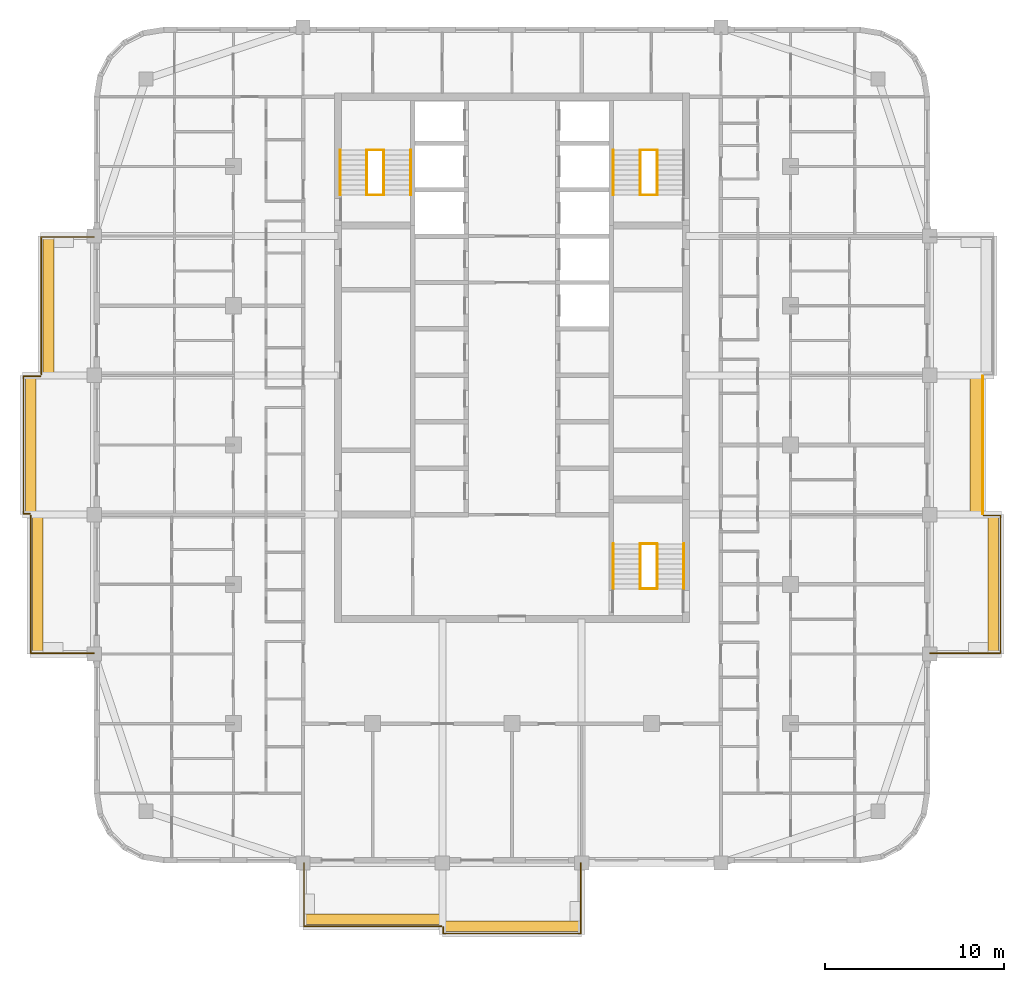
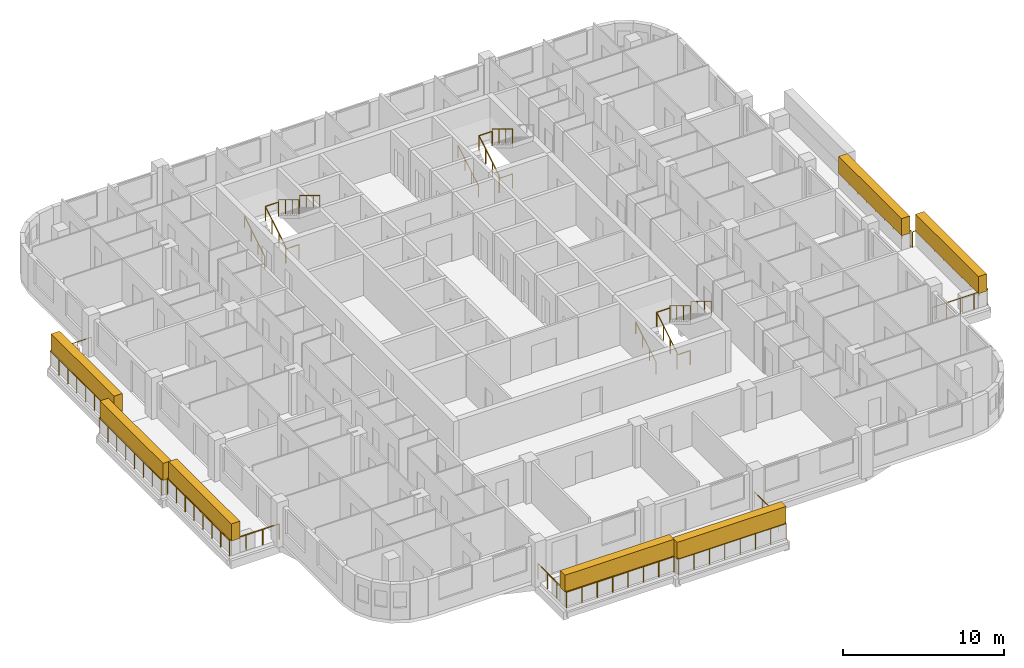
# One storey, part 15 of 16: 24 railings, 7 coverings, 3 elements without a shape of their own.
"""IFC4 building model written with IfcOpenShell, lengths in metres."""

from ifc_helpers import new_model, si_unit, direction, frame, origin, origin_2d, place, context, subcontext, project, spatial, rectangle, circle, extrude, material, layer, layer_set, type_object, element, aggregate, save


model = new_model("IFC4")

# Units and contexts
model_context = context("Model", 3, precision=1e-05, world=origin(), true_north=direction((0.0, 1.0)))
body_context = subcontext(model_context, "Body", "Model", "MODEL_VIEW")
ifc_project = project(units=[si_unit("LENGTHUNIT", "METRE"), si_unit("AREAUNIT", "SQUARE_METRE"), si_unit("VOLUMEUNIT", "CUBIC_METRE"), si_unit("PLANEANGLEUNIT", "RADIAN"), si_unit("MASSUNIT", "GRAM", prefix="KILO")], contexts=[model_context])

# Site, building, storey
site_placement = place(None, origin())
site = spatial("IfcSite", under=ifc_project, at=site_placement, CompositionType="ELEMENT")
building_placement = place(site_placement, origin())
building = spatial("IfcBuilding", under=site, at=building_placement, Name="Ludao Terraces", CompositionType="ELEMENT")
storey_placement = place(building_placement, frame((0.0, 0.0, 217.699951171875)))
storey = spatial("IfcBuildingStorey", under=building, at=storey_placement, Name="L59", CompositionType="ELEMENT", Elevation=217.699951171875)

# Railings
ifc_material_1 = material(Name="Stainless steel 304", Category="steel")
railing_type_1 = type_object("IfcRailingType", Name="ENV Balcony glass guard 1200", PredefinedType="GUARDRAIL", material=ifc_material_1)
railing_1_placement = place(storey_placement, frame((73.35009765625, 41.60009765625, 0.0)))
element("IfcRailing", 1, at=railing_1_placement, inside=storey, type_object=railing_type_1, Name="Balcony guard L59 S1", PredefinedType="GUARDRAIL", context=body_context, shape_type="SweptSolid", body=[
    extrude(circle(Radius=0.02392578125, at=origin_2d()), frame((0.0, 0.0, 1.17578125), z_axis=(0.0, -1.0, 0.0), x_axis=(1.0, 0.0, 0.0)), (0.0, 0.0, 1.0), 3.550048828125),
    extrude(circle(Radius=0.02392578125, at=origin_2d()), frame((0.0, -3.550048828125, 1.17578125), z_axis=(1.0, 0.0, 0.0), x_axis=(0.0, 1.0, 0.0)), (0.0, 0.0, 1.0), 7.699951171875),
    extrude(circle(Radius=0.02099609375, at=origin_2d()), origin(), (0.0, 0.0, 1.0), 1.15185546875),
    extrude(circle(Radius=0.02099609375, at=origin_2d()), frame((0.0, -1.183349609375, 0.0)), (0.0, 0.0, 1.0), 1.15185546875),
    extrude(circle(Radius=0.02099609375, at=origin_2d()), frame((0.0, -2.36669921875, 0.0)), (0.0, 0.0, 1.0), 1.15185546875),
    extrude(circle(Radius=0.02099609375, at=origin_2d()), frame((0.0, -3.550048828125, 0.0)), (0.0, 0.0, 1.0), 1.15185546875),
    extrude(circle(Radius=0.02099609375, at=origin_2d()), frame((1.10009765625, -3.550048828125, 0.0)), (0.0, 0.0, 1.0), 1.15185546875),
    extrude(circle(Radius=0.02099609375, at=origin_2d()), frame((2.199951171875, -3.550048828125, 0.0)), (0.0, 0.0, 1.0), 1.15185546875),
    extrude(circle(Radius=0.02099609375, at=origin_2d()), frame((3.300048828125, -3.550048828125, 0.0)), (0.0, 0.0, 1.0), 1.15185546875),
    extrude(circle(Radius=0.02099609375, at=origin_2d()), frame((4.39990234375, -3.550048828125, 0.0)), (0.0, 0.0, 1.0), 1.15185546875),
    extrude(circle(Radius=0.02099609375, at=origin_2d()), frame((5.5, -3.550048828125, 0.0)), (0.0, 0.0, 1.0), 1.15185546875),
    extrude(circle(Radius=0.02099609375, at=origin_2d()), frame((6.599853515625, -3.550048828125, 0.0)), (0.0, 0.0, 1.0), 1.15185546875),
    extrude(circle(Radius=0.02099609375, at=origin_2d()), frame((7.699951171875, -3.550048828125, 0.0)), (0.0, 0.0, 1.0), 1.15185546875),
])
railing_2_placement = place(storey_placement, frame((81.14990234375, 38.0, 0.0)))
element("IfcRailing", 2, at=railing_2_placement, inside=storey, type_object=railing_type_1, Name="Balcony guard L59 S2", PredefinedType="GUARDRAIL", context=body_context, shape_type="SweptSolid", body=[
    extrude(circle(Radius=0.02392578125, at=origin_2d()), frame((0.0, 0.0, 1.17578125), z_axis=(0.0, -1.0, 0.0), x_axis=(1.0, 0.0, 0.0)), (0.0, 0.0, 1.0), 0.35009765625),
    extrude(circle(Radius=0.02392578125, at=origin_2d()), frame((0.0, -0.35009765625, 1.17578125), z_axis=(1.0, 0.0, 0.0), x_axis=(0.0, 1.0, 0.0)), (0.0, 0.0, 1.0), 7.7001953125),
    extrude(circle(Radius=0.02392578125, at=origin_2d()), frame((7.7001953125, -0.35009765625, 1.17578125), z_axis=(0.0, 1.0, 0.0), x_axis=(-1.0, 0.0, 0.0)), (0.0, 0.0, 1.0), 3.9501953125),
    extrude(circle(Radius=0.02099609375, at=origin_2d()), origin(), (0.0, 0.0, 1.0), 1.15185546875),
    extrude(circle(Radius=0.02099609375, at=origin_2d()), frame((0.0, -0.35009765625, 0.0)), (0.0, 0.0, 1.0), 1.15185546875),
    extrude(circle(Radius=0.02099609375, at=origin_2d()), frame((1.10009765625, -0.35009765625, 0.0)), (0.0, 0.0, 1.0), 1.15185546875),
    extrude(circle(Radius=0.02099609375, at=origin_2d()), frame((2.199951171875, -0.35009765625, 0.0)), (0.0, 0.0, 1.0), 1.15185546875),
    extrude(circle(Radius=0.02099609375, at=origin_2d()), frame((3.300048828125, -0.35009765625, 0.0)), (0.0, 0.0, 1.0), 1.15185546875),
    extrude(circle(Radius=0.02099609375, at=origin_2d()), frame((4.400146484375, -0.35009765625, 0.0)), (0.0, 0.0, 1.0), 1.15185546875),
    extrude(circle(Radius=0.02099609375, at=origin_2d()), frame((5.500244140625, -0.35009765625, 0.0)), (0.0, 0.0, 1.0), 1.15185546875),
    extrude(circle(Radius=0.02099609375, at=origin_2d()), frame((6.60009765625, -0.35009765625, 0.0)), (0.0, 0.0, 1.0), 1.15185546875),
    extrude(circle(Radius=0.02099609375, at=origin_2d()), frame((7.7001953125, -0.35009765625, 0.0)), (0.0, 0.0, 1.0), 1.15185546875),
    extrude(circle(Radius=0.02099609375, at=origin_2d()), frame((7.7001953125, 0.637451171875, 0.0)), (0.0, 0.0, 1.0), 1.15185546875),
    extrude(circle(Radius=0.02099609375, at=origin_2d()), frame((7.7001953125, 1.625, 0.0)), (0.0, 0.0, 1.0), 1.15185546875),
    extrude(circle(Radius=0.02099609375, at=origin_2d()), frame((7.7001953125, 2.612548828125, 0.0)), (0.0, 0.0, 1.0), 1.15185546875),
    extrude(circle(Radius=0.02099609375, at=origin_2d()), frame((7.7001953125, 3.60009765625, 0.0)), (0.0, 0.0, 1.0), 1.15185546875),
])
railing_3_placement = place(storey_placement, frame((108.39990234375, 53.35009765625, 0.0)))
element("IfcRailing", 3, at=railing_3_placement, inside=storey, type_object=railing_type_1, Name="Balcony guard L59 E1", PredefinedType="GUARDRAIL", context=body_context, shape_type="SweptSolid", body=[
    extrude(circle(Radius=0.02392578125, at=origin_2d()), frame((0.0, 0.0, 1.17578125), z_axis=(1.0, 0.0, 0.0), x_axis=(0.0, 1.0, 0.0)), (0.0, 0.0, 1.0), 3.9501953125),
    extrude(circle(Radius=0.02392578125, at=origin_2d()), frame((3.9501953125, 0.0, 1.17578125), z_axis=(0.0, 1.0, 0.0), x_axis=(-1.0, 0.0, 0.0)), (0.0, 0.0, 1.0), 7.699951171875),
    extrude(circle(Radius=0.02392578125, at=origin_2d()), frame((3.9501953125, 7.699951171875, 1.17578125), z_axis=(-1.0, 0.0, 0.0), x_axis=(0.0, -1.0, 0.0)), (0.0, 0.0, 1.0), 0.9501953125),
    extrude(circle(Radius=0.02099609375, at=origin_2d()), origin(), (0.0, 0.0, 1.0), 1.15185546875),
    extrude(circle(Radius=0.02099609375, at=origin_2d()), frame((0.987548828125, 0.0, 0.0)), (0.0, 0.0, 1.0), 1.15185546875),
    extrude(circle(Radius=0.02099609375, at=origin_2d()), frame((1.97509765625, 0.0, 0.0)), (0.0, 0.0, 1.0), 1.15185546875),
    extrude(circle(Radius=0.02099609375, at=origin_2d()), frame((2.962646484375, 0.0, 0.0)), (0.0, 0.0, 1.0), 1.15185546875),
    extrude(circle(Radius=0.02099609375, at=origin_2d()), frame((3.9501953125, 0.0, 0.0)), (0.0, 0.0, 1.0), 1.15185546875),
    extrude(circle(Radius=0.02099609375, at=origin_2d()), frame((3.9501953125, 1.10009765625, 0.0)), (0.0, 0.0, 1.0), 1.15185546875),
    extrude(circle(Radius=0.02099609375, at=origin_2d()), frame((3.9501953125, 2.199951171875, 0.0)), (0.0, 0.0, 1.0), 1.15185546875),
    extrude(circle(Radius=0.02099609375, at=origin_2d()), frame((3.9501953125, 3.300048828125, 0.0)), (0.0, 0.0, 1.0), 1.15185546875),
    extrude(circle(Radius=0.02099609375, at=origin_2d()), frame((3.9501953125, 4.39990234375, 0.0)), (0.0, 0.0, 1.0), 1.15185546875),
    extrude(circle(Radius=0.02099609375, at=origin_2d()), frame((3.9501953125, 5.5, 0.0)), (0.0, 0.0, 1.0), 1.15185546875),
    extrude(circle(Radius=0.02099609375, at=origin_2d()), frame((3.9501953125, 6.599853515625, 0.0)), (0.0, 0.0, 1.0), 1.15185546875),
    extrude(circle(Radius=0.02099609375, at=origin_2d()), frame((3.9501953125, 7.699951171875, 0.0)), (0.0, 0.0, 1.0), 1.15185546875),
    extrude(circle(Radius=0.02099609375, at=origin_2d()), frame((3.0, 7.699951171875, 0.0)), (0.0, 0.0, 1.0), 1.15185546875),
])
railing_4_placement = place(storey_placement, frame((111.35009765625, 61.14990234375, 0.0)))
element("IfcRailing", 4, at=railing_4_placement, inside=storey, type_object=railing_type_1, Name="Balcony guard L59 E2", PredefinedType="GUARDRAIL", context=body_context, shape_type="SweptSolid", body=[
    extrude(circle(Radius=0.02392578125, at=origin_2d()), frame((0.0, 0.0, 1.17578125), z_axis=(0.0, 1.0, 0.0), x_axis=(-1.0, 0.0, 0.0)), (0.0, 0.0, 1.0), 7.7001953125),
    extrude(circle(Radius=0.02099609375, at=origin_2d()), origin(), (0.0, 0.0, 1.0), 1.15185546875),
    extrude(circle(Radius=0.02099609375, at=origin_2d()), frame((0.0, 1.10009765625, 0.0)), (0.0, 0.0, 1.0), 1.15185546875),
    extrude(circle(Radius=0.02099609375, at=origin_2d()), frame((0.0, 2.199951171875, 0.0)), (0.0, 0.0, 1.0), 1.15185546875),
    extrude(circle(Radius=0.02099609375, at=origin_2d()), frame((0.0, 3.300048828125, 0.0)), (0.0, 0.0, 1.0), 1.15185546875),
    extrude(circle(Radius=0.02099609375, at=origin_2d()), frame((0.0, 4.400146484375, 0.0)), (0.0, 0.0, 1.0), 1.15185546875),
    extrude(circle(Radius=0.02099609375, at=origin_2d()), frame((0.0, 5.500244140625, 0.0)), (0.0, 0.0, 1.0), 1.15185546875),
    extrude(circle(Radius=0.02099609375, at=origin_2d()), frame((0.0, 6.60009765625, 0.0)), (0.0, 0.0, 1.0), 1.15185546875),
    extrude(circle(Radius=0.02099609375, at=origin_2d()), frame((0.0, 7.7001953125, 0.0)), (0.0, 0.0, 1.0), 1.15185546875),
])
railing_5_placement = place(storey_placement, frame((61.60009765625, 53.35009765625, 0.0)))
element("IfcRailing", 5, at=railing_5_placement, inside=storey, type_object=railing_type_1, Name="Balcony guard L59 W1", PredefinedType="GUARDRAIL", context=body_context, shape_type="SweptSolid", body=[
    extrude(circle(Radius=0.02392578125, at=origin_2d()), frame((0.0, 0.0, 1.17578125), z_axis=(-1.0, 0.0, 0.0), x_axis=(0.0, -1.0, 0.0)), (0.0, 0.0, 1.0), 3.550048828125),
    extrude(circle(Radius=0.02392578125, at=origin_2d()), frame((-3.550048828125, 0.0, 1.17578125), z_axis=(0.0, 1.0, 0.0), x_axis=(-1.0, 0.0, 0.0)), (0.0, 0.0, 1.0), 7.699951171875),
    extrude(circle(Radius=0.02099609375, at=origin_2d()), origin(), (0.0, 0.0, 1.0), 1.15185546875),
    extrude(circle(Radius=0.02099609375, at=origin_2d()), frame((-1.183349609375, 0.0, 0.0)), (0.0, 0.0, 1.0), 1.15185546875),
    extrude(circle(Radius=0.02099609375, at=origin_2d()), frame((-2.36669921875, 0.0, 0.0)), (0.0, 0.0, 1.0), 1.15185546875),
    extrude(circle(Radius=0.02099609375, at=origin_2d()), frame((-3.550048828125, 0.0, 0.0)), (0.0, 0.0, 1.0), 1.15185546875),
    extrude(circle(Radius=0.02099609375, at=origin_2d()), frame((-3.550048828125, 1.10009765625, 0.0)), (0.0, 0.0, 1.0), 1.15185546875),
    extrude(circle(Radius=0.02099609375, at=origin_2d()), frame((-3.550048828125, 2.199951171875, 0.0)), (0.0, 0.0, 1.0), 1.15185546875),
    extrude(circle(Radius=0.02099609375, at=origin_2d()), frame((-3.550048828125, 3.300048828125, 0.0)), (0.0, 0.0, 1.0), 1.15185546875),
    extrude(circle(Radius=0.02099609375, at=origin_2d()), frame((-3.550048828125, 4.39990234375, 0.0)), (0.0, 0.0, 1.0), 1.15185546875),
    extrude(circle(Radius=0.02099609375, at=origin_2d()), frame((-3.550048828125, 5.5, 0.0)), (0.0, 0.0, 1.0), 1.15185546875),
    extrude(circle(Radius=0.02099609375, at=origin_2d()), frame((-3.550048828125, 6.599853515625, 0.0)), (0.0, 0.0, 1.0), 1.15185546875),
    extrude(circle(Radius=0.02099609375, at=origin_2d()), frame((-3.550048828125, 7.699951171875, 0.0)), (0.0, 0.0, 1.0), 1.15185546875),
])
railing_6_placement = place(storey_placement, frame((58.0, 61.14990234375, 0.0)))
element("IfcRailing", 6, at=railing_6_placement, inside=storey, type_object=railing_type_1, Name="Balcony guard L59 W2", PredefinedType="GUARDRAIL", context=body_context, shape_type="SweptSolid", body=[
    extrude(circle(Radius=0.02392578125, at=origin_2d()), frame((0.0, 0.0, 1.17578125), z_axis=(-1.0, 0.0, 0.0), x_axis=(0.0, -1.0, 0.0)), (0.0, 0.0, 1.0), 0.35009765625),
    extrude(circle(Radius=0.02392578125, at=origin_2d()), frame((-0.35009765625, 0.0, 1.17578125), z_axis=(0.0, 1.0, 0.0), x_axis=(-1.0, 0.0, 0.0)), (0.0, 0.0, 1.0), 7.7001953125),
    extrude(circle(Radius=0.02392578125, at=origin_2d()), frame((-0.35009765625, 7.7001953125, 1.17578125), z_axis=(1.0, 0.0, 0.0), x_axis=(0.0, 1.0, 0.0)), (0.0, 0.0, 1.0), 0.9501953125),
    extrude(circle(Radius=0.02099609375, at=origin_2d()), origin(), (0.0, 0.0, 1.0), 1.15185546875),
    extrude(circle(Radius=0.02099609375, at=origin_2d()), frame((-0.35009765625, 0.0, 0.0)), (0.0, 0.0, 1.0), 1.15185546875),
    extrude(circle(Radius=0.02099609375, at=origin_2d()), frame((-0.35009765625, 1.10009765625, 0.0)), (0.0, 0.0, 1.0), 1.15185546875),
    extrude(circle(Radius=0.02099609375, at=origin_2d()), frame((-0.35009765625, 2.199951171875, 0.0)), (0.0, 0.0, 1.0), 1.15185546875),
    extrude(circle(Radius=0.02099609375, at=origin_2d()), frame((-0.35009765625, 3.300048828125, 0.0)), (0.0, 0.0, 1.0), 1.15185546875),
    extrude(circle(Radius=0.02099609375, at=origin_2d()), frame((-0.35009765625, 4.400146484375, 0.0)), (0.0, 0.0, 1.0), 1.15185546875),
    extrude(circle(Radius=0.02099609375, at=origin_2d()), frame((-0.35009765625, 5.500244140625, 0.0)), (0.0, 0.0, 1.0), 1.15185546875),
    extrude(circle(Radius=0.02099609375, at=origin_2d()), frame((-0.35009765625, 6.60009765625, 0.0)), (0.0, 0.0, 1.0), 1.15185546875),
    extrude(circle(Radius=0.02099609375, at=origin_2d()), frame((-0.35009765625, 7.7001953125, 0.0)), (0.0, 0.0, 1.0), 1.15185546875),
    extrude(circle(Radius=0.02099609375, at=origin_2d()), frame((0.60009765625, 7.7001953125, 0.0)), (0.0, 0.0, 1.0), 1.15185546875),
])
railing_7_placement = place(storey_placement, frame((58.64990234375, 68.949951171875, 0.0)))
element("IfcRailing", 7, at=railing_7_placement, inside=storey, type_object=railing_type_1, Name="Balcony guard L59 W3", PredefinedType="GUARDRAIL", context=body_context, shape_type="SweptSolid", body=[
    extrude(circle(Radius=0.02392578125, at=origin_2d()), frame((0.0, 0.0, 1.17578125), z_axis=(0.0, 1.0, 0.0), x_axis=(-1.0, 0.0, 0.0)), (0.0, 0.0, 1.0), 7.699951171875),
    extrude(circle(Radius=0.02392578125, at=origin_2d()), frame((0.0, 7.699951171875, 1.17578125), z_axis=(1.0, 0.0, 0.0), x_axis=(0.0, 1.0, 0.0)), (0.0, 0.0, 1.0), 2.9501953125),
    extrude(circle(Radius=0.02099609375, at=origin_2d()), origin(), (0.0, 0.0, 1.0), 1.15185546875),
    extrude(circle(Radius=0.02099609375, at=origin_2d()), frame((0.0, 1.10009765625, 0.0)), (0.0, 0.0, 1.0), 1.15185546875),
    extrude(circle(Radius=0.02099609375, at=origin_2d()), frame((0.0, 2.199951171875, 0.0)), (0.0, 0.0, 1.0), 1.15185546875),
    extrude(circle(Radius=0.02099609375, at=origin_2d()), frame((0.0, 3.300048828125, 0.0)), (0.0, 0.0, 1.0), 1.15185546875),
    extrude(circle(Radius=0.02099609375, at=origin_2d()), frame((0.0, 4.39990234375, 0.0)), (0.0, 0.0, 1.0), 1.15185546875),
    extrude(circle(Radius=0.02099609375, at=origin_2d()), frame((0.0, 5.5, 0.0)), (0.0, 0.0, 1.0), 1.15185546875),
    extrude(circle(Radius=0.02099609375, at=origin_2d()), frame((0.0, 6.599853515625, 0.0)), (0.0, 0.0, 1.0), 1.15185546875),
    extrude(circle(Radius=0.02099609375, at=origin_2d()), frame((0.0, 7.699951171875, 0.0)), (0.0, 0.0, 1.0), 1.15185546875),
    extrude(circle(Radius=0.02099609375, at=origin_2d()), frame((0.9833984375, 7.699951171875, 0.0)), (0.0, 0.0, 1.0), 1.15185546875),
    extrude(circle(Radius=0.02099609375, at=origin_2d()), frame((1.966796875, 7.699951171875, 0.0)), (0.0, 0.0, 1.0), 1.15185546875),
    extrude(circle(Radius=0.02099609375, at=origin_2d()), frame((2.9501953125, 7.699951171875, 0.0)), (0.0, 0.0, 1.0), 1.15185546875),
])

# Coverings
ifc_material_2 = material(Name="Planting")
ifc_layer = layer(ifc_material_2, 0.60009765625)
ifc_layer_set = layer_set([ifc_layer], Name="ENV Planting hedge 600x1300")
covering_type = type_object("IfcCoveringType", Name="ENV Planting hedge 600x1300", PredefinedType="USERDEFINED", material=ifc_layer_set)
for number, where, z_axis, x_axis, name in (
    (8, (77.199951171875, 38.449951171875, 1.10009765625), (0.0, 0.0, 1.0), (1.0, 0.0, 0.0), "Planting hedge L59-S1"),
    (9, (85.0, 38.050048828125, 1.10009765625), (0.0, 0.0, 1.0), (1.0, 0.0, 0.0), "Planting hedge L59-S2"),
):
    element("IfcCovering", number, at=place(storey_placement, frame(where, z_axis=z_axis, x_axis=x_axis)), inside=storey, type_object=covering_type, Name=name, ObjectType="PLANTING", PredefinedType="USERDEFINED", context=body_context, shape_type="SweptSolid", body=[
        extrude(rectangle(XDim=7.800048828125, YDim=0.60009765625, at=origin_2d()), origin(), (0.0, 0.0, 1.0), 1.300048828125),
    ])
for number, where, z_axis, x_axis, name in (
    (10, (111.949951171875, 57.199951171875, 1.10009765625), (0.0, 0.0, 1.0), (1.0, 0.0, 0.0), "Planting hedge L59-E1"),
    (11, (110.949951171875, 65.0, 1.10009765625), (0.0, 0.0, 1.0), (1.0, 0.0, 0.0), "Planting hedge L59-E2"),
    (12, (58.449951171875, 57.199951171875, 1.10009765625), (0.0, 0.0, 1.0), (1.0, 0.0, 0.0), "Planting hedge L59-W1"),
    (13, (58.050048828125, 65.0, 1.10009765625), (0.0, 0.0, 1.0), (1.0, 0.0, 0.0), "Planting hedge L59-W2"),
    (14, (59.050048828125, 72.800048828125, 1.10009765625), (0.0, 0.0, 1.0), (1.0, 0.0, 0.0), "Planting hedge L59-W3"),
):
    element("IfcCovering", number, at=place(storey_placement, frame(where, z_axis=z_axis, x_axis=x_axis)), inside=storey, type_object=covering_type, Name=name, ObjectType="PLANTING", PredefinedType="USERDEFINED", context=body_context, shape_type="SweptSolid", body=[
        extrude(rectangle(XDim=0.60009765625, YDim=7.800048828125, at=origin_2d()), origin(), (0.0, 0.0, 1.0), 1.300048828125),
    ])

# Stair, railings
ifc_material_3 = material(Name="Concrete C40", Category="concrete")
stair_type = type_object("IfcStairType", Name="INT Stair", PredefinedType="HALF_TURN_STAIR", material=ifc_material_3)
stair_1_placement = place(storey_placement, origin())
stair_1 = element("IfcStair", 15, at=stair_1_placement, inside=storey, type_object=stair_type, Name="EXIT STAIR 1", PredefinedType="HALF_TURN_STAIR")
railing_type_2 = type_object("IfcRailingType", Name="INT Stair guard 1100", PredefinedType="GUARDRAIL", material=ifc_material_1)
railing_8_placement = place(storey_placement, frame((76.875, 79.0, 0.170166015625)))
railing_8 = element("IfcRailing", 16, at=railing_8_placement, type_object=railing_type_2, Name="ST-L59-S1-R1G", PredefinedType="GUARDRAIL", context=body_context, shape_type="SweptSolid", body=[
    extrude(circle(Radius=0.02392578125, at=origin_2d()), frame((0.0, 0.0, 1.076171875), z_axis=(0.0, 0.854821627497, 0.518921945155), x_axis=(-1.0, 0.0, 0.0)), (0.0, 0.0, 1.0), 2.947998046875),
    extrude(circle(Radius=0.02099609375, at=origin_2d()), origin(), (0.0, 0.0, 1.0), 1.052001953125),
    extrude(circle(Radius=0.02099609375, at=origin_2d()), frame((0.0, 0.840087890625, 0.510009765625)), (0.0, 0.0, 1.0), 1.052001953125),
    extrude(circle(Radius=0.02099609375, at=origin_2d()), frame((0.0, 1.679931640625, 1.019775390625)), (0.0, 0.0, 1.0), 1.052001953125),
    extrude(circle(Radius=0.02099609375, at=origin_2d()), frame((0.0, 2.52001953125, 1.52978515625)), (0.0, 0.0, 1.0), 1.052001953125),
])
railing_9_placement = place(storey_placement, frame((77.824951171875, 81.52001953125, 1.8701171875)))
railing_9 = element("IfcRailing", 17, at=railing_9_placement, type_object=railing_type_2, Name="ST-L59-S1-R2G", PredefinedType="GUARDRAIL", context=body_context, shape_type="SweptSolid", body=[
    extrude(circle(Radius=0.02392578125, at=origin_2d()), frame((0.0, 0.0, 1.076171875), z_axis=(0.0, -0.85478489116, 0.518982456201), x_axis=(1.0, 0.0, 0.0)), (0.0, 0.0, 1.0), 2.9482421875),
    extrude(circle(Radius=0.02099609375, at=origin_2d()), origin(), (0.0, 0.0, 1.0), 1.052001953125),
    extrude(circle(Radius=0.02099609375, at=origin_2d()), frame((0.0, -0.840087890625, 0.510009765625)), (0.0, 0.0, 1.0), 1.052001953125),
    extrude(circle(Radius=0.02099609375, at=origin_2d()), frame((0.0, -1.679931640625, 1.02001953125)), (0.0, 0.0, 1.0), 1.052001953125),
    extrude(circle(Radius=0.02099609375, at=origin_2d()), frame((0.0, -2.52001953125, 1.530029296875)), (0.0, 0.0, 1.0), 1.052001953125),
])
railing_10_placement = place(storey_placement, frame((76.875, 81.52001953125, 1.699951171875)))
railing_10 = element("IfcRailing", 18, at=railing_10_placement, type_object=railing_type_2, Name="ST-L59-S1-E1G", PredefinedType="GUARDRAIL", context=body_context, shape_type="SweptSolid", body=[
    extrude(circle(Radius=0.02392578125, at=origin_2d()), frame((0.0, 0.0, 1.076171875), z_axis=(1.0, 0.0, 0.0), x_axis=(0.0, 1.0, 0.0)), (0.0, 0.0, 1.0), 0.949951171875),
    extrude(circle(Radius=0.02099609375, at=origin_2d()), origin(), (0.0, 0.0, 1.0), 1.052001953125),
    extrude(circle(Radius=0.02099609375, at=origin_2d()), frame((0.949951171875, 0.0, 0.0)), (0.0, 0.0, 1.0), 1.052001953125),
])
railing_11_placement = place(storey_placement, frame((76.875, 79.0, 0.0)))
railing_11 = element("IfcRailing", 19, at=railing_11_placement, type_object=railing_type_2, Name="ST-L59-S1-E2G", PredefinedType="GUARDRAIL", context=body_context, shape_type="SweptSolid", body=[
    extrude(circle(Radius=0.02392578125, at=origin_2d()), frame((0.0, 0.0, 1.076171875), z_axis=(1.0, 0.0, 0.0), x_axis=(0.0, 1.0, 0.0)), (0.0, 0.0, 1.0), 0.949951171875),
    extrude(circle(Radius=0.02099609375, at=origin_2d()), origin(), (0.0, 0.0, 1.0), 1.052001953125),
    extrude(circle(Radius=0.02099609375, at=origin_2d()), frame((0.949951171875, 0.0, 0.0)), (0.0, 0.0, 1.0), 1.052001953125),
])

stair_2_placement = place(storey_placement, origin())
stair_2 = element("IfcStair", 20, at=stair_2_placement, inside=storey, type_object=stair_type, Name="EXIT STAIR 2", PredefinedType="HALF_TURN_STAIR")
railing_12_placement = place(storey_placement, frame((92.175048828125, 79.0, 0.170166015625)))
railing_12 = element("IfcRailing", 21, at=railing_12_placement, type_object=railing_type_2, Name="ST-L59-S2-R1G", PredefinedType="GUARDRAIL", context=body_context, shape_type="SweptSolid", body=[
    extrude(circle(Radius=0.02392578125, at=origin_2d()), frame((0.0, 0.0, 1.076171875), z_axis=(0.0, 0.854821627497, 0.518921945155), x_axis=(-1.0, 0.0, 0.0)), (0.0, 0.0, 1.0), 2.947998046875),
    extrude(circle(Radius=0.02099609375, at=origin_2d()), origin(), (0.0, 0.0, 1.0), 1.052001953125),
    extrude(circle(Radius=0.02099609375, at=origin_2d()), frame((0.0, 0.840087890625, 0.510009765625)), (0.0, 0.0, 1.0), 1.052001953125),
    extrude(circle(Radius=0.02099609375, at=origin_2d()), frame((0.0, 1.679931640625, 1.019775390625)), (0.0, 0.0, 1.0), 1.052001953125),
    extrude(circle(Radius=0.02099609375, at=origin_2d()), frame((0.0, 2.52001953125, 1.52978515625)), (0.0, 0.0, 1.0), 1.052001953125),
])
railing_13_placement = place(storey_placement, frame((93.125, 81.52001953125, 1.8701171875)))
railing_13 = element("IfcRailing", 22, at=railing_13_placement, type_object=railing_type_2, Name="ST-L59-S2-R2G", PredefinedType="GUARDRAIL", context=body_context, shape_type="SweptSolid", body=[
    extrude(circle(Radius=0.02392578125, at=origin_2d()), frame((0.0, 0.0, 1.076171875), z_axis=(0.0, -0.85478489116, 0.518982456201), x_axis=(1.0, 0.0, 0.0)), (0.0, 0.0, 1.0), 2.9482421875),
    extrude(circle(Radius=0.02099609375, at=origin_2d()), origin(), (0.0, 0.0, 1.0), 1.052001953125),
    extrude(circle(Radius=0.02099609375, at=origin_2d()), frame((0.0, -0.840087890625, 0.510009765625)), (0.0, 0.0, 1.0), 1.052001953125),
    extrude(circle(Radius=0.02099609375, at=origin_2d()), frame((0.0, -1.679931640625, 1.02001953125)), (0.0, 0.0, 1.0), 1.052001953125),
    extrude(circle(Radius=0.02099609375, at=origin_2d()), frame((0.0, -2.52001953125, 1.530029296875)), (0.0, 0.0, 1.0), 1.052001953125),
])
railing_14_placement = place(storey_placement, frame((92.175048828125, 81.52001953125, 1.699951171875)))
railing_14 = element("IfcRailing", 23, at=railing_14_placement, type_object=railing_type_2, Name="ST-L59-S2-E1G", PredefinedType="GUARDRAIL", context=body_context, shape_type="SweptSolid", body=[
    extrude(circle(Radius=0.02392578125, at=origin_2d()), frame((0.0, 0.0, 1.076171875), z_axis=(1.0, 0.0, 0.0), x_axis=(0.0, 1.0, 0.0)), (0.0, 0.0, 1.0), 0.949951171875),
    extrude(circle(Radius=0.02099609375, at=origin_2d()), origin(), (0.0, 0.0, 1.0), 1.052001953125),
    extrude(circle(Radius=0.02099609375, at=origin_2d()), frame((0.949951171875, 0.0, 0.0)), (0.0, 0.0, 1.0), 1.052001953125),
])
railing_15_placement = place(storey_placement, frame((92.175048828125, 79.0, 0.0)))
railing_15 = element("IfcRailing", 24, at=railing_15_placement, type_object=railing_type_2, Name="ST-L59-S2-E2G", PredefinedType="GUARDRAIL", context=body_context, shape_type="SweptSolid", body=[
    extrude(circle(Radius=0.02392578125, at=origin_2d()), frame((0.0, 0.0, 1.076171875), z_axis=(1.0, 0.0, 0.0), x_axis=(0.0, 1.0, 0.0)), (0.0, 0.0, 1.0), 0.949951171875),
    extrude(circle(Radius=0.02099609375, at=origin_2d()), origin(), (0.0, 0.0, 1.0), 1.052001953125),
    extrude(circle(Radius=0.02099609375, at=origin_2d()), frame((0.949951171875, 0.0, 0.0)), (0.0, 0.0, 1.0), 1.052001953125),
])

stair_3_placement = place(storey_placement, origin())
stair_3 = element("IfcStair", 25, at=stair_3_placement, inside=storey, type_object=stair_type, Name="EXIT STAIR 3", PredefinedType="HALF_TURN_STAIR")
railing_16_placement = place(storey_placement, frame((92.175048828125, 56.949951171875, 0.170166015625)))
railing_16 = element("IfcRailing", 26, at=railing_16_placement, type_object=railing_type_2, Name="ST-L59-S3-R1G", PredefinedType="GUARDRAIL", context=body_context, shape_type="SweptSolid", body=[
    extrude(circle(Radius=0.02392578125, at=origin_2d()), frame((0.0, 0.0, 1.076171875), z_axis=(0.0, 0.854821627497, 0.518921945155), x_axis=(-1.0, 0.0, 0.0)), (0.0, 0.0, 1.0), 2.947998046875),
    extrude(circle(Radius=0.02099609375, at=origin_2d()), origin(), (0.0, 0.0, 1.0), 1.052001953125),
    extrude(circle(Radius=0.02099609375, at=origin_2d()), frame((0.0, 0.840087890625, 0.510009765625)), (0.0, 0.0, 1.0), 1.052001953125),
    extrude(circle(Radius=0.02099609375, at=origin_2d()), frame((0.0, 1.679931640625, 1.019775390625)), (0.0, 0.0, 1.0), 1.052001953125),
    extrude(circle(Radius=0.02099609375, at=origin_2d()), frame((0.0, 2.52001953125, 1.52978515625)), (0.0, 0.0, 1.0), 1.052001953125),
])
railing_17_placement = place(storey_placement, frame((93.125, 59.469970703125, 1.8701171875)))
railing_17 = element("IfcRailing", 27, at=railing_17_placement, type_object=railing_type_2, Name="ST-L59-S3-R2G", PredefinedType="GUARDRAIL", context=body_context, shape_type="SweptSolid", body=[
    extrude(circle(Radius=0.02392578125, at=origin_2d()), frame((0.0, 0.0, 1.076171875), z_axis=(0.0, -0.85478489116, 0.518982456201), x_axis=(1.0, 0.0, 0.0)), (0.0, 0.0, 1.0), 2.9482421875),
    extrude(circle(Radius=0.02099609375, at=origin_2d()), origin(), (0.0, 0.0, 1.0), 1.052001953125),
    extrude(circle(Radius=0.02099609375, at=origin_2d()), frame((0.0, -0.840087890625, 0.510009765625)), (0.0, 0.0, 1.0), 1.052001953125),
    extrude(circle(Radius=0.02099609375, at=origin_2d()), frame((0.0, -1.679931640625, 1.02001953125)), (0.0, 0.0, 1.0), 1.052001953125),
    extrude(circle(Radius=0.02099609375, at=origin_2d()), frame((0.0, -2.52001953125, 1.530029296875)), (0.0, 0.0, 1.0), 1.052001953125),
])
railing_18_placement = place(storey_placement, frame((92.175048828125, 59.469970703125, 1.699951171875)))
railing_18 = element("IfcRailing", 28, at=railing_18_placement, type_object=railing_type_2, Name="ST-L59-S3-E1G", PredefinedType="GUARDRAIL", context=body_context, shape_type="SweptSolid", body=[
    extrude(circle(Radius=0.02392578125, at=origin_2d()), frame((0.0, 0.0, 1.076171875), z_axis=(1.0, 0.0, 0.0), x_axis=(0.0, 1.0, 0.0)), (0.0, 0.0, 1.0), 0.949951171875),
    extrude(circle(Radius=0.02099609375, at=origin_2d()), origin(), (0.0, 0.0, 1.0), 1.052001953125),
    extrude(circle(Radius=0.02099609375, at=origin_2d()), frame((0.949951171875, 0.0, 0.0)), (0.0, 0.0, 1.0), 1.052001953125),
])
railing_19_placement = place(storey_placement, frame((92.175048828125, 56.949951171875, 0.0)))
railing_19 = element("IfcRailing", 29, at=railing_19_placement, type_object=railing_type_2, Name="ST-L59-S3-E2G", PredefinedType="GUARDRAIL", context=body_context, shape_type="SweptSolid", body=[
    extrude(circle(Radius=0.02392578125, at=origin_2d()), frame((0.0, 0.0, 1.076171875), z_axis=(1.0, 0.0, 0.0), x_axis=(0.0, 1.0, 0.0)), (0.0, 0.0, 1.0), 0.949951171875),
    extrude(circle(Radius=0.02099609375, at=origin_2d()), origin(), (0.0, 0.0, 1.0), 1.052001953125),
    extrude(circle(Radius=0.02099609375, at=origin_2d()), frame((0.949951171875, 0.0, 0.0)), (0.0, 0.0, 1.0), 1.052001953125),
])

# Railing
railing_type_3 = type_object("IfcRailingType", Name="INT Stair handrail 900", PredefinedType="HANDRAIL", material=ifc_material_1)
railing_20_placement = place(storey_placement, frame((75.375, 79.0, 0.170166015625)))
railing_20 = element("IfcRailing", 30, at=railing_20_placement, type_object=railing_type_3, Name="ST-L59-S1-R1H", PredefinedType="HANDRAIL", context=body_context, shape_type="SweptSolid", body=[
    extrude(circle(Radius=0.02392578125, at=origin_2d()), frame((0.0, 0.0, 0.8759765625), z_axis=(0.0, 0.854821627497, 0.518921945155), x_axis=(-1.0, 0.0, 0.0)), (0.0, 0.0, 1.0), 2.947998046875),
    extrude(circle(Radius=0.02099609375, at=origin_2d()), origin(), (0.0, 0.0, 1.0), 0.851806640625),
    extrude(circle(Radius=0.02099609375, at=origin_2d()), frame((0.0, 0.840087890625, 0.510009765625)), (0.0, 0.0, 1.0), 0.851806640625),
    extrude(circle(Radius=0.02099609375, at=origin_2d()), frame((0.0, 1.679931640625, 1.019775390625)), (0.0, 0.0, 1.0), 0.851806640625),
    extrude(circle(Radius=0.02099609375, at=origin_2d()), frame((0.0, 2.52001953125, 1.52978515625)), (0.0, 0.0, 1.0), 0.851806640625),
])

railing_21_placement = place(storey_placement, frame((79.324951171875, 81.52001953125, 1.8701171875)))
railing_21 = element("IfcRailing", 31, at=railing_21_placement, type_object=railing_type_3, Name="ST-L59-S1-R2H", PredefinedType="HANDRAIL", context=body_context, shape_type="SweptSolid", body=[
    extrude(circle(Radius=0.02392578125, at=origin_2d()), frame((0.0, 0.0, 0.8759765625), z_axis=(0.0, -0.85478489116, 0.518982456201), x_axis=(1.0, 0.0, 0.0)), (0.0, 0.0, 1.0), 2.9482421875),
    extrude(circle(Radius=0.02099609375, at=origin_2d()), origin(), (0.0, 0.0, 1.0), 0.851806640625),
    extrude(circle(Radius=0.02099609375, at=origin_2d()), frame((0.0, -0.840087890625, 0.510009765625)), (0.0, 0.0, 1.0), 0.851806640625),
    extrude(circle(Radius=0.02099609375, at=origin_2d()), frame((0.0, -1.679931640625, 1.02001953125)), (0.0, 0.0, 1.0), 0.851806640625),
    extrude(circle(Radius=0.02099609375, at=origin_2d()), frame((0.0, -2.52001953125, 1.530029296875)), (0.0, 0.0, 1.0), 0.851806640625),
])

aggregate(stair_1, [railing_8, railing_20, railing_9, railing_21, railing_10, railing_11])

railing_22_placement = place(storey_placement, frame((90.675048828125, 79.0, 0.170166015625)))
railing_22 = element("IfcRailing", 32, at=railing_22_placement, type_object=railing_type_3, Name="ST-L59-S2-R1H", PredefinedType="HANDRAIL", context=body_context, shape_type="SweptSolid", body=[
    extrude(circle(Radius=0.02392578125, at=origin_2d()), frame((0.0, 0.0, 0.8759765625), z_axis=(0.0, 0.854821627497, 0.518921945155), x_axis=(-1.0, 0.0, 0.0)), (0.0, 0.0, 1.0), 2.947998046875),
    extrude(circle(Radius=0.02099609375, at=origin_2d()), origin(), (0.0, 0.0, 1.0), 0.851806640625),
    extrude(circle(Radius=0.02099609375, at=origin_2d()), frame((0.0, 0.840087890625, 0.510009765625)), (0.0, 0.0, 1.0), 0.851806640625),
    extrude(circle(Radius=0.02099609375, at=origin_2d()), frame((0.0, 1.679931640625, 1.019775390625)), (0.0, 0.0, 1.0), 0.851806640625),
    extrude(circle(Radius=0.02099609375, at=origin_2d()), frame((0.0, 2.52001953125, 1.52978515625)), (0.0, 0.0, 1.0), 0.851806640625),
])

aggregate(stair_2, [railing_12, railing_22, railing_13, railing_14, railing_15])

railing_23_placement = place(storey_placement, frame((90.675048828125, 56.949951171875, 0.170166015625)))
railing_23 = element("IfcRailing", 33, at=railing_23_placement, type_object=railing_type_3, Name="ST-L59-S3-R1H", PredefinedType="HANDRAIL", context=body_context, shape_type="SweptSolid", body=[
    extrude(circle(Radius=0.02392578125, at=origin_2d()), frame((0.0, 0.0, 0.8759765625), z_axis=(0.0, 0.854821627497, 0.518921945155), x_axis=(-1.0, 0.0, 0.0)), (0.0, 0.0, 1.0), 2.947998046875),
    extrude(circle(Radius=0.02099609375, at=origin_2d()), origin(), (0.0, 0.0, 1.0), 0.851806640625),
    extrude(circle(Radius=0.02099609375, at=origin_2d()), frame((0.0, 0.840087890625, 0.510009765625)), (0.0, 0.0, 1.0), 0.851806640625),
    extrude(circle(Radius=0.02099609375, at=origin_2d()), frame((0.0, 1.679931640625, 1.019775390625)), (0.0, 0.0, 1.0), 0.851806640625),
    extrude(circle(Radius=0.02099609375, at=origin_2d()), frame((0.0, 2.52001953125, 1.52978515625)), (0.0, 0.0, 1.0), 0.851806640625),
])

railing_24_placement = place(storey_placement, frame((94.625, 59.469970703125, 1.8701171875)))
railing_24 = element("IfcRailing", 34, at=railing_24_placement, type_object=railing_type_3, Name="ST-L59-S3-R2H", PredefinedType="HANDRAIL", context=body_context, shape_type="SweptSolid", body=[
    extrude(circle(Radius=0.02392578125, at=origin_2d()), frame((0.0, 0.0, 0.8759765625), z_axis=(0.0, -0.85478489116, 0.518982456201), x_axis=(1.0, 0.0, 0.0)), (0.0, 0.0, 1.0), 2.9482421875),
    extrude(circle(Radius=0.02099609375, at=origin_2d()), origin(), (0.0, 0.0, 1.0), 0.851806640625),
    extrude(circle(Radius=0.02099609375, at=origin_2d()), frame((0.0, -0.840087890625, 0.510009765625)), (0.0, 0.0, 1.0), 0.851806640625),
    extrude(circle(Radius=0.02099609375, at=origin_2d()), frame((0.0, -1.679931640625, 1.02001953125)), (0.0, 0.0, 1.0), 0.851806640625),
    extrude(circle(Radius=0.02099609375, at=origin_2d()), frame((0.0, -2.52001953125, 1.530029296875)), (0.0, 0.0, 1.0), 0.851806640625),
])

aggregate(stair_3, [railing_16, railing_23, railing_17, railing_24, railing_18, railing_19])

save(model, "model.ifc")
